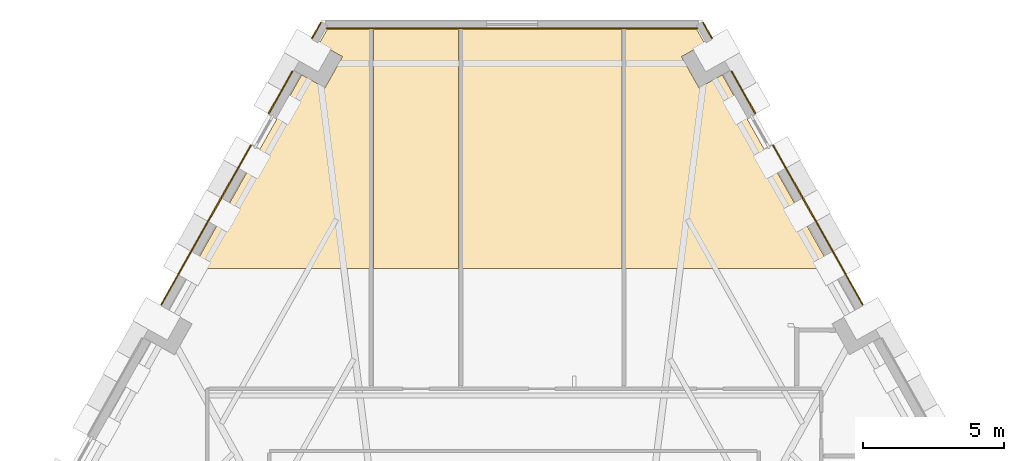
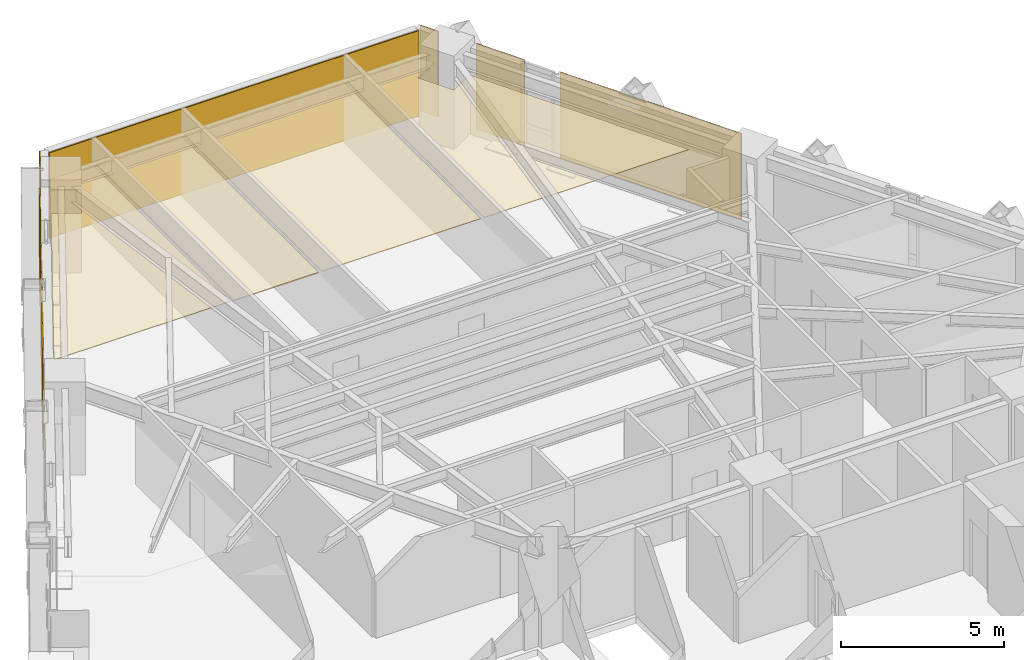
# One storey, part 13 of 13: 11 coverings.
"""IFC4 building model written with IfcOpenShell, lengths in metres."""

from ifc_helpers import new_model, si_unit, direction, frame, origin, place, context, subcontext, project, spatial, polyline, outline, extrude, material, layer, layer_set, type_object, element, save


model = new_model("IFC4")

# Units and contexts
model_context = context("Model", 3, precision=1e-05, world=origin(), true_north=direction((0.0, 1.0)))
body_context = subcontext(model_context, "Body", "Model", "MODEL_VIEW")
ifc_project = project(units=[si_unit("LENGTHUNIT", "METRE"), si_unit("AREAUNIT", "SQUARE_METRE"), si_unit("VOLUMEUNIT", "CUBIC_METRE"), si_unit("PLANEANGLEUNIT", "RADIAN"), si_unit("MASSUNIT", "GRAM", prefix="KILO")], contexts=[model_context])

# Site, building, storey
site_placement = place(None, origin())
site = spatial("IfcSite", under=ifc_project, at=site_placement, CompositionType="ELEMENT")
building_placement = place(site_placement, origin())
building = spatial("IfcBuilding", under=site, at=building_placement, Name="Quenlor Broadcast Tower", CompositionType="ELEMENT")
storey_placement = place(building_placement, frame((0.0, 0.0, 34.60009765625)))
storey = spatial("IfcBuildingStorey", under=building, at=storey_placement, Name="L08", CompositionType="ELEMENT", Elevation=34.60009765625)

# Coverings
ifc_material_1 = material(Name="Acoustic Mineral Fibre Board", Category="other")
ifc_layer_1 = layer(ifc_material_1, 0.02490234375)
ifc_layer_set_1 = layer_set([ifc_layer_1], Name="Acoustic Perforated Mineral Tile Ceiling 25")
covering_type_1 = type_object("IfcCoveringType", Name="Acoustic Perforated Mineral Tile Ceiling 25", PredefinedType="CEILING", material=ifc_layer_set_1)
covering_1_placement = place(storey_placement, frame((0.0, 0.0, 2.224853515625)))
element("IfcCovering", 1, at=covering_1_placement, inside=storey, type_object=covering_type_1, Name="L08 Acoustic Ceiling L08-32-2", PredefinedType="CEILING", context=body_context, shape_type="SweptSolid", body=[
    extrude(outline(polyline([(-1.765869140625, 21.092041015625), (3.8798828125, 21.092041015625), (3.8798828125, 12.64990234375), (-1.765869140625, 12.64990234375), (-1.765869140625, 21.092041015625)])), origin(), (0.0, 0.0, 1.0), 0.025146484375),
])
covering_2_placement = place(storey_placement, frame((0.0, 0.0, 2.224853515625)))
element("IfcCovering", 2, at=covering_2_placement, inside=storey, type_object=covering_type_1, Name="L08 Acoustic Ceiling L08-33-2", PredefinedType="CEILING", context=body_context, shape_type="SweptSolid", body=[
    extrude(outline(polyline([(4.0, 21.092041015625), (6.533203125, 21.092041015625), (6.810791015625, 20.598388671875), (5.989013671875, 20.135986328125), (6.609619140625, 19.03271484375), (7.431396484375, 19.4951171875), (9.97998046875, 14.96435546875), (9.97998046875, 14.8408203125), (9.993408203125, 14.856201171875), (10.015625, 14.875), (11.27587890625, 12.64990234375), (4.0, 12.64990234375), (4.0, 21.092041015625)])), origin(), (0.0, 0.0, 1.0), 0.025146484375),
])
covering_3_placement = place(storey_placement, frame((0.0, 0.0, 2.224853515625)))
element("IfcCovering", 3, at=covering_3_placement, inside=storey, type_object=covering_type_1, Name="L08 Acoustic Ceiling L08-34-2", PredefinedType="CEILING", context=body_context, shape_type="SweptSolid", body=[
    extrude(outline(polyline([(-7.431396484375, 19.4951171875), (-6.609619140625, 19.03271484375), (-5.989013671875, 20.135986328125), (-6.810791015625, 20.598388671875), (-6.533203125, 21.092041015625), (-5.02001953125, 21.092041015625), (-5.02001953125, 12.64990234375), (-11.28173828125, 12.64990234375), (-7.431396484375, 19.4951171875)])), origin(), (0.0, 0.0, 1.0), 0.025146484375),
])
ifc_material_2 = material(Name="Acoustic Gypsum Board", Category="other")
ifc_layer_2 = layer(ifc_material_2, 0.0400390625)
ifc_layer_set_2 = layer_set([ifc_layer_2], Name="Broadcast Studio Spring Isolated Ceiling 40")
covering_type_2 = type_object("IfcCoveringType", Name="Broadcast Studio Spring Isolated Ceiling 40", PredefinedType="CEILING", material=ifc_layer_set_2)
covering_4_placement = place(storey_placement, frame((0.0, 0.0, 2.2099609375)))
element("IfcCovering", 4, at=covering_4_placement, inside=storey, type_object=covering_type_2, Name="L08 Acoustic Ceiling L08-31-2", PredefinedType="CEILING", context=body_context, shape_type="SweptSolid", body=[
    extrude(outline(polyline([(-1.8857421875, 12.64990234375), (-4.89990234375, 12.64990234375), (-4.89990234375, 21.092041015625), (-1.8857421875, 21.092041015625), (-1.8857421875, 12.64990234375)])), origin(), (0.0, 0.0, 1.0), 0.0400390625),
])
ifc_material_3 = material(Name="Architectural Terracotta Ceramic", Category="masonry")
ifc_layer_3 = layer(ifc_material_3, 0.044921875)
ifc_layer_set_3 = layer_set([ifc_layer_3], Name="Fluted Terracotta Rainscreen Cladding Panel")
covering_type_3 = type_object("IfcCoveringType", Name="Fluted Terracotta Rainscreen Cladding Panel", PredefinedType="CLADDING", material=ifc_layer_set_3)
covering_5_placement = place(storey_placement, frame((0.0, 0.0, 0.02001953125)))
element("IfcCovering", 5, at=covering_5_placement, inside=storey, type_object=covering_type_3, Name="L08 Terracotta Rainscreen Cladding L08-SHD-NES0", PredefinedType="CLADDING", context=body_context, shape_type="SweptSolid", body=[
    extrude(outline(polyline([(6.734130859375, 21.330078125), (7.052001953125, 20.76513671875), (7.09130859375, 20.787109375), (6.7734375, 21.35205078125), (6.734130859375, 21.330078125)])), origin(), (0.0, 0.0, 1.0), 3.2099609375),
])
covering_6_placement = place(storey_placement, frame((0.0, 0.0, 0.02001953125)))
element("IfcCovering", 6, at=covering_6_placement, inside=storey, type_object=covering_type_3, Name="L08 Terracotta Rainscreen Cladding L08-NEA-SP1", PredefinedType="CLADDING", context=body_context, shape_type="SweptSolid", body=[
    extrude(outline(polyline([(7.735107421875, 19.612060546875), (8.580078125, 18.10986328125), (8.619384765625, 18.1318359375), (7.7744140625, 19.634033203125), (7.735107421875, 19.612060546875)])), origin(), (0.0, 0.0, 1.0), 3.2099609375),
])
covering_7_placement = place(storey_placement, frame((0.0, 0.0, 0.02001953125)))
element("IfcCovering", 7, at=covering_7_placement, inside=storey, type_object=covering_type_3, Name="L08 Terracotta Rainscreen Cladding L08-NEA-SP2", PredefinedType="CLADDING", context=body_context, shape_type="SweptSolid", body=[
    extrude(outline(polyline([(9.201416015625, 17.005126953125), (12.380615234375, 11.353515625), (12.419677734375, 11.37548828125), (9.240478515625, 17.027099609375), (9.201416015625, 17.005126953125)])), origin(), (0.0, 0.0, 1.0), 3.2099609375),
])
covering_8_placement = place(storey_placement, frame((0.0, 0.0, 0.02001953125)))
element("IfcCovering", 8, at=covering_8_placement, inside=storey, type_object=covering_type_3, Name="L08 Terracotta Rainscreen Cladding L08-SHD-NWS1", PredefinedType="CLADDING", context=body_context, shape_type="SweptSolid", body=[
    extrude(outline(polyline([(-7.052001953125, 20.76513671875), (-6.734130859375, 21.330078125), (-6.7734375, 21.35205078125), (-7.09130859375, 20.787109375), (-7.052001953125, 20.76513671875)])), origin(), (0.0, 0.0, 1.0), 3.2099609375),
])
covering_9_placement = place(storey_placement, frame((0.0, 0.0, 0.02001953125)))
element("IfcCovering", 9, at=covering_9_placement, inside=storey, type_object=covering_type_3, Name="L08 Terracotta Rainscreen Cladding L08-NWC-SP1", PredefinedType="CLADDING", context=body_context, shape_type="SweptSolid", body=[
    extrude(outline(polyline([(-12.380615234375, 11.353515625), (-9.201416015625, 17.005126953125), (-9.240478515625, 17.027099609375), (-12.419677734375, 11.37548828125), (-12.380615234375, 11.353515625)])), origin(), (0.0, 0.0, 1.0), 3.2099609375),
])
covering_10_placement = place(storey_placement, frame((0.0, 0.0, 0.02001953125)))
element("IfcCovering", 10, at=covering_10_placement, inside=storey, type_object=covering_type_3, Name="L08 Terracotta Rainscreen Cladding L08-NWC-SP2", PredefinedType="CLADDING", context=body_context, shape_type="SweptSolid", body=[
    extrude(outline(polyline([(-8.580078125, 18.10986328125), (-7.735107421875, 19.612060546875), (-7.7744140625, 19.634033203125), (-8.619384765625, 18.1318359375), (-8.580078125, 18.10986328125)])), origin(), (0.0, 0.0, 1.0), 3.2099609375),
])
covering_11_placement = place(storey_placement, frame((0.0, 0.0, 0.02001953125)))
element("IfcCovering", 11, at=covering_11_placement, inside=storey, type_object=covering_type_3, Name="L08 Terracotta Rainscreen Cladding L08-CNR-02", PredefinedType="CLADDING", context=body_context, shape_type="SweptSolid", body=[
    extrude(outline(polyline([(6.568359375, 21.159912109375), (-6.558349609375, 21.159912109375), (-6.558349609375, 21.114990234375), (6.568359375, 21.114990234375), (6.568359375, 21.159912109375)])), origin(), (0.0, 0.0, 1.0), 3.2099609375),
])

save(model, "model.ifc")
